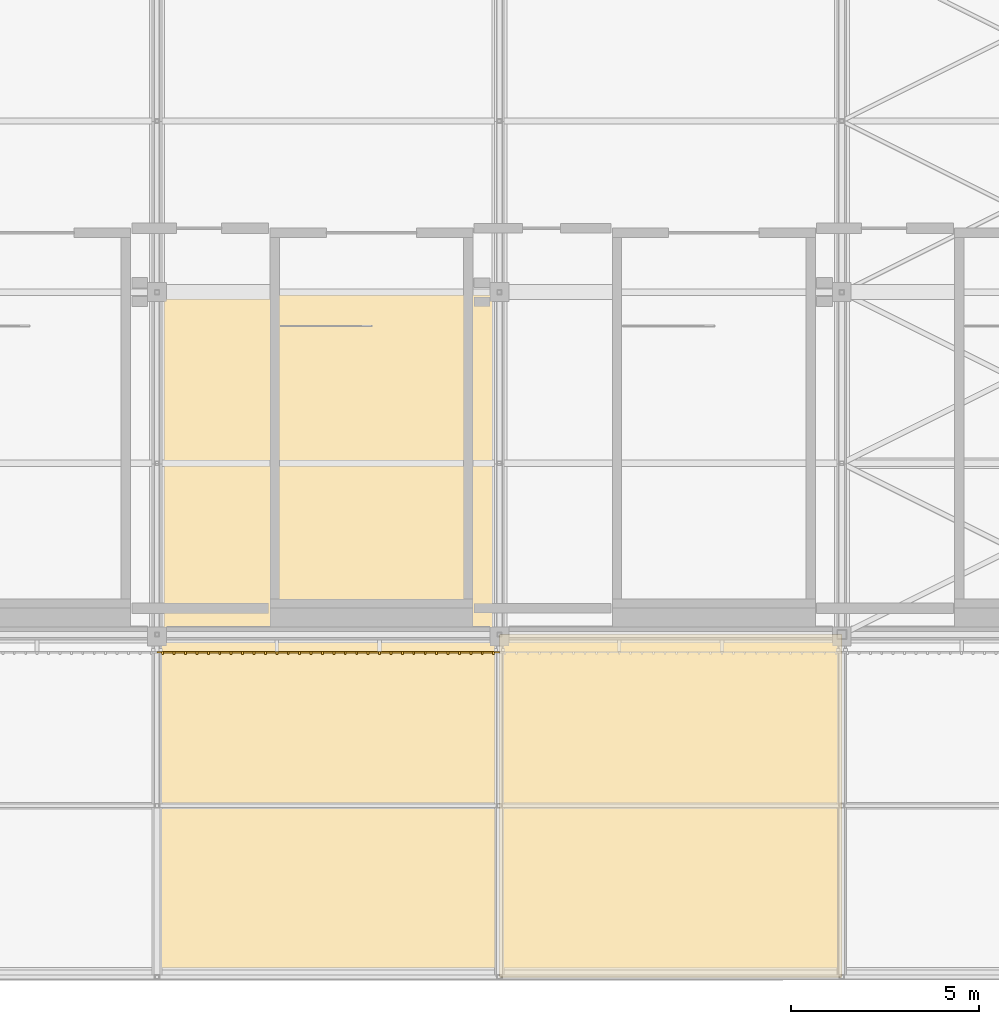
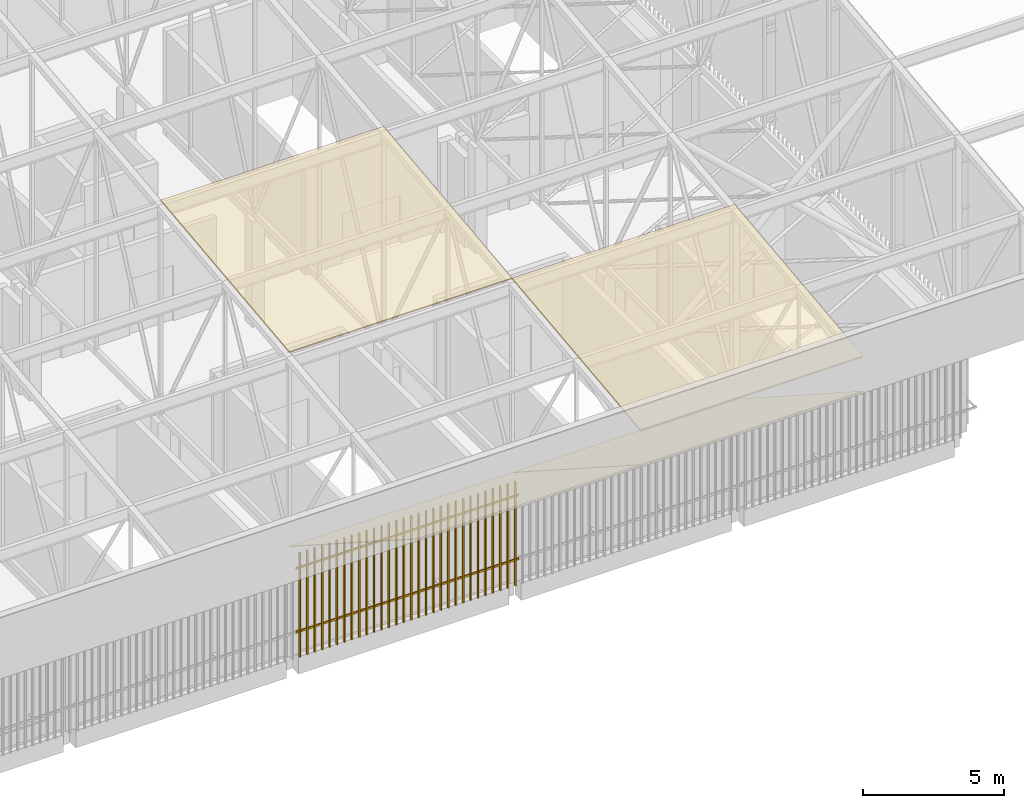
# One storey, part 484 of 500: 4 coverings, 1 shading device.
"""IFC4 building model written with IfcOpenShell, lengths in metres."""

from ifc_helpers import new_model, si_unit, direction, frame, origin, origin_2d, place, context, subcontext, project, spatial, polyline, rectangle, outline, extrude, material, layer, layer_set, type_object, element, save


model = new_model("IFC4")

# Units and contexts
model_context = context("Model", 3, precision=1e-05, world=origin(), true_north=direction((0.0, 1.0)))
body_context = subcontext(model_context, "Body", "Model", "MODEL_VIEW")
ifc_project = project(units=[si_unit("LENGTHUNIT", "METRE"), si_unit("AREAUNIT", "SQUARE_METRE"), si_unit("VOLUMEUNIT", "CUBIC_METRE"), si_unit("PLANEANGLEUNIT", "RADIAN"), si_unit("MASSUNIT", "GRAM", prefix="KILO")], contexts=[model_context])

# Site, building, storey
site_placement = place(None, origin())
site = spatial("IfcSite", under=ifc_project, at=site_placement, CompositionType="ELEMENT")
building_placement = place(site_placement, origin())
building = spatial("IfcBuilding", under=site, at=building_placement, Name="Shirokan Park Arena", CompositionType="ELEMENT")
storey_placement = place(building_placement, frame((0.0, 0.0, 29.1201171875)))
storey = spatial("IfcBuildingStorey", under=building, at=storey_placement, Name="L06", CompositionType="ELEMENT", Elevation=29.1201171875)

# Coverings
ifc_material_1 = material(Name="Bituminous roofing membrane")
ifc_layer_1 = layer(ifc_material_1, 0.010009765625, Name="Bituminous roofing membrane")
ifc_material_2 = material(Name="Mineral wool insulation")
ifc_layer_2 = layer(ifc_material_2, 0.050048828125, Name="Mineral wool insulation")
ifc_layer_set_1 = layer_set([ifc_layer_1, ifc_layer_2], Name="Bituminous roofing membrane + Mineral wool insulation")
covering_type_1 = type_object("IfcCoveringType", Name="Roofing membrane 60", PredefinedType="ROOFING", material=ifc_layer_set_1)
covering_1_placement = place(storey_placement, frame((118.300048828125, 0.0, 12.9306640625), z_axis=(0.0, -0.113549598152, 0.993532328996), x_axis=(1.0, 0.0, 0.0)))
element("IfcCovering", 1, at=covering_1_placement, inside=storey, type_object=covering_type_1, Name="Roofing", PredefinedType="ROOFING", context=body_context, shape_type="SweptSolid", body=[
    extrude(outline(polyline([(0.0, 0.0), (9.099853515625, 0.0), (9.099853515625, 9.15933723611117), (0.0, 9.15933723611117), (0.0, 0.0)])), origin(), (0.0, 0.0, -1.0), 0.06005859375),
])
covering_2_placement = place(storey_placement, frame((127.39990234375, -9.10009765625, 11.890625), z_axis=(0.0, -0.113549598152, 0.993532328996), x_axis=(1.0, 0.0, 0.0)))
element("IfcCovering", 2, at=covering_2_placement, inside=storey, type_object=covering_type_1, Name="Roofing", PredefinedType="ROOFING", context=body_context, shape_type="SweptSolid", body=[
    extrude(outline(polyline([(0.0, 0.0), (9.10009765625, 0.0), (9.10009765625, 9.15933723611117), (0.0, 9.15933723611117), (0.0, 0.0)])), origin(), (0.0, 0.0, -1.0), 0.06005859375),
])
ifc_material_3 = material(Name="Timber soffit boards (cedar)", Category="wood")
ifc_layer_3 = layer(ifc_material_3, 0.030029296875)
ifc_layer_set_2 = layer_set([ifc_layer_3], Name="Timber soffit boards (cedar) 30 mm")
covering_type_2 = type_object("IfcCoveringType", Name="Timber boarded soffit panel", PredefinedType="CLADDING", material=ifc_layer_set_2)
covering_3_placement = place(storey_placement, origin())
element("IfcCovering", 3, at=covering_3_placement, inside=storey, type_object=covering_type_2, Name="Eave soffit south bay 14", PredefinedType="CLADDING", context=body_context, shape_type="SweptSolid", body=[
    extrude(outline(polyline([(0.0, 0.0), (0.14269332184794056, 0.0), (0.14269332184794056, -9.10000000000001), (0.0, -9.10000000000001), (0.0, 0.0)])), frame((127.39990234375, -8.97998046875, 10.3037109375), z_axis=(0.0, 0.541090493936, 0.840964373427), x_axis=(0.0, -0.840964373427, 0.541090493936)), (0.0, 0.0, -1.0), 0.030029296875),
    extrude(outline(polyline([(0.0, 0.0), (0.1426933218479412, 0.0), (0.1426933218479412, -9.10000000000001), (0.0, -9.10000000000001), (0.0, 0.0)])), frame((118.300048828125, -0.1201171875, 4.60302734375), z_axis=(0.0, 0.541090493936, 0.840964373427), x_axis=(0.0, 0.840964373427, -0.541090493936)), (0.0, 0.0, -1.0), 0.030029296875),
    extrude(outline(polyline([(0.0, 0.0), (0.12000000000000455, 0.0), (0.12000000000000455, -10.535473996759707), (0.0, -10.535473996759707), (0.0, 0.0)])), frame((127.39990234375, -8.97998046875, 10.3037109375), z_axis=(0.0, 0.541084340558, 0.84096833258), x_axis=(-1.0, 0.0, 0.0)), (0.0, 0.0, -1.0), 0.030029296875),
    extrude(outline(polyline([(0.0, 0.0), (0.12000000000000455, 0.0), (0.12000000000000455, -10.535473996759707), (0.0, -10.535473996759707), (0.0, 0.0)])), frame((118.300048828125, -0.1201171875, 4.60302734375), z_axis=(0.0, 0.541084340558, 0.84096833258), x_axis=(1.0, 0.0, 0.0)), (0.0, 0.0, -1.0), 0.030029296875),
    extrude(outline(polyline([(0.0, 0.0), (10.535473996759707, 0.0), (10.535473996759707, -0.183329999999998), (0.0, -0.183329999999998), (0.0, 0.0)])), frame((118.419921875, -8.97998046875, 10.3037109375), z_axis=(0.0, 0.541084340558, 0.84096833258), x_axis=(0.0, 0.84096833258, -0.541084340558)), (0.0, 0.0, -1.0), 0.030029296875),
    extrude(outline(polyline([(0.0, 0.0), (10.535473996759707, 0.0), (10.535473996759707, -0.3033400000000057), (0.0, -0.3033400000000057), (0.0, 0.0)])), frame((118.603271484375, -8.97998046875, 10.3037109375), z_axis=(0.0, 0.541084340558, 0.84096833258), x_axis=(0.0, 0.84096833258, -0.541084340558)), (0.0, 0.0, -1.0), 0.030029296875),
    extrude(outline(polyline([(0.0, 0.0), (10.535473996759707, 0.0), (10.535473996759707, -0.30332999999998833), (0.0, -0.30332999999998833), (0.0, 0.0)])), frame((118.90673828125, -8.97998046875, 10.3037109375), z_axis=(0.0, 0.541084340558, 0.84096833258), x_axis=(0.0, 0.84096833258, -0.541084340558)), (0.0, 0.0, -1.0), 0.030029296875),
    extrude(outline(polyline([(0.0, 0.0), (10.535473996759709, 0.0), (10.535473996759709, -0.30333000000000254), (0.0, -0.30333000000000254), (0.0, 0.0)])), frame((119.2099609375, -8.97998046875, 10.3037109375), z_axis=(0.0, 0.541084340558, 0.84096833258), x_axis=(0.0, 0.84096833258, -0.541084340558)), (0.0, 0.0, -1.0), 0.030029296875),
    extrude(outline(polyline([(0.0, 0.0), (10.535473996759707, 0.0), (10.535473996759707, -0.3033400000000057), (0.0, -0.3033400000000057), (0.0, 0.0)])), frame((119.513427734375, -8.97998046875, 10.3037109375), z_axis=(0.0, 0.541084340558, 0.84096833258), x_axis=(0.0, 0.84096833258, -0.541084340558)), (0.0, 0.0, -1.0), 0.030029296875),
    extrude(outline(polyline([(0.0, 0.0), (10.535473996759709, 0.0), (10.535473996759709, -0.30333000000000254), (0.0, -0.30333000000000254), (0.0, 0.0)])), frame((119.816650390625, -8.97998046875, 10.3037109375), z_axis=(0.0, 0.541084340558, 0.84096833258), x_axis=(0.0, 0.84096833258, -0.541084340558)), (0.0, 0.0, -1.0), 0.030029296875),
    extrude(outline(polyline([(0.0, 0.0), (10.535473996759709, 0.0), (10.535473996759709, -0.3033300000000026), (0.0, -0.3033300000000026), (0.0, 0.0)])), frame((120.1201171875, -8.97998046875, 10.3037109375), z_axis=(0.0, 0.541084340558, 0.84096833258), x_axis=(0.0, 0.84096833258, -0.541084340558)), (0.0, 0.0, -1.0), 0.030029296875),
    extrude(outline(polyline([(0.0, 0.0), (10.535473996759707, 0.0), (10.535473996759707, -0.3033399999999915), (0.0, -0.3033399999999915), (0.0, 0.0)])), frame((120.42333984375, -8.97998046875, 10.3037109375), z_axis=(0.0, 0.541084340558, 0.84096833258), x_axis=(0.0, 0.84096833258, -0.541084340558)), (0.0, 0.0, -1.0), 0.030029296875),
    extrude(outline(polyline([(0.0, 0.0), (10.535473996759709, 0.0), (10.535473996759709, -0.30333000000000254), (0.0, -0.30333000000000254), (0.0, 0.0)])), frame((120.7265625, -8.97998046875, 10.3037109375), z_axis=(0.0, 0.541084340558, 0.84096833258), x_axis=(0.0, 0.84096833258, -0.541084340558)), (0.0, 0.0, -1.0), 0.030029296875),
    extrude(outline(polyline([(0.0, 0.0), (10.535473996759709, 0.0), (10.535473996759709, -0.30333000000000254), (0.0, -0.30333000000000254), (0.0, 0.0)])), frame((121.030029296875, -8.97998046875, 10.3037109375), z_axis=(0.0, 0.541084340558, 0.84096833258), x_axis=(0.0, 0.84096833258, -0.541084340558)), (0.0, 0.0, -1.0), 0.030029296875),
    extrude(outline(polyline([(0.0, 0.0), (10.535473996759707, 0.0), (10.535473996759707, -0.3033399999999915), (0.0, -0.3033399999999915), (0.0, 0.0)])), frame((121.333251953125, -8.97998046875, 10.3037109375), z_axis=(0.0, 0.541084340558, 0.84096833258), x_axis=(0.0, 0.84096833258, -0.541084340558)), (0.0, 0.0, -1.0), 0.030029296875),
    extrude(outline(polyline([(0.0, 0.0), (10.535473996759709, 0.0), (10.535473996759709, -0.30333000000000254), (0.0, -0.30333000000000254), (0.0, 0.0)])), frame((121.63671875, -8.97998046875, 10.3037109375), z_axis=(0.0, 0.541084340558, 0.84096833258), x_axis=(0.0, 0.84096833258, -0.541084340558)), (0.0, 0.0, -1.0), 0.030029296875),
    extrude(outline(polyline([(0.0, 0.0), (10.535473996759709, 0.0), (10.535473996759709, -0.30333000000000254), (0.0, -0.30333000000000254), (0.0, 0.0)])), frame((121.93994140625, -8.97998046875, 10.3037109375), z_axis=(0.0, 0.541084340558, 0.84096833258), x_axis=(0.0, 0.84096833258, -0.541084340558)), (0.0, 0.0, -1.0), 0.030029296875),
    extrude(outline(polyline([(0.0, 0.0), (10.535473996759707, 0.0), (10.535473996759707, -0.3033400000000057), (0.0, -0.3033400000000057), (0.0, 0.0)])), frame((122.243408203125, -8.97998046875, 10.3037109375), z_axis=(0.0, 0.541084340558, 0.84096833258), x_axis=(0.0, 0.84096833258, -0.541084340558)), (0.0, 0.0, -1.0), 0.030029296875),
    extrude(outline(polyline([(0.0, 0.0), (10.535473996759707, 0.0), (10.535473996759707, -0.30332999999998833), (0.0, -0.30332999999998833), (0.0, 0.0)])), frame((122.546630859375, -8.97998046875, 10.3037109375), z_axis=(0.0, 0.541084340558, 0.84096833258), x_axis=(0.0, 0.84096833258, -0.541084340558)), (0.0, 0.0, -1.0), 0.030029296875),
    extrude(outline(polyline([(0.0, 0.0), (10.535473996759709, 0.0), (10.535473996759709, -0.30333000000000254), (0.0, -0.30333000000000254), (0.0, 0.0)])), frame((122.85009765625, -8.97998046875, 10.3037109375), z_axis=(0.0, 0.541084340558, 0.84096833258), x_axis=(0.0, 0.84096833258, -0.541084340558)), (0.0, 0.0, -1.0), 0.030029296875),
    extrude(outline(polyline([(0.0, 0.0), (10.535473996759707, 0.0), (10.535473996759707, -0.3033400000000057), (0.0, -0.3033400000000057), (0.0, 0.0)])), frame((123.1533203125, -8.97998046875, 10.3037109375), z_axis=(0.0, 0.541084340558, 0.84096833258), x_axis=(0.0, 0.84096833258, -0.541084340558)), (0.0, 0.0, -1.0), 0.030029296875),
    extrude(outline(polyline([(0.0, 0.0), (10.535473996759709, 0.0), (10.535473996759709, -0.30333000000000254), (0.0, -0.30333000000000254), (0.0, 0.0)])), frame((123.456787109375, -8.97998046875, 10.3037109375), z_axis=(0.0, 0.541084340558, 0.84096833258), x_axis=(0.0, 0.84096833258, -0.541084340558)), (0.0, 0.0, -1.0), 0.030029296875),
    extrude(outline(polyline([(0.0, 0.0), (10.535473996759707, 0.0), (10.535473996759707, -0.30332999999998833), (0.0, -0.30332999999998833), (0.0, 0.0)])), frame((123.760009765625, -8.97998046875, 10.3037109375), z_axis=(0.0, 0.541084340558, 0.84096833258), x_axis=(0.0, 0.84096833258, -0.541084340558)), (0.0, 0.0, -1.0), 0.030029296875),
    extrude(outline(polyline([(0.0, 0.0), (10.535473996759707, 0.0), (10.535473996759707, -0.3033400000000057), (0.0, -0.3033400000000057), (0.0, 0.0)])), frame((124.063232421875, -8.97998046875, 10.3037109375), z_axis=(0.0, 0.541084340558, 0.84096833258), x_axis=(0.0, 0.84096833258, -0.541084340558)), (0.0, 0.0, -1.0), 0.030029296875),
    extrude(outline(polyline([(0.0, 0.0), (10.535473996759709, 0.0), (10.535473996759709, -0.30333000000000254), (0.0, -0.30333000000000254), (0.0, 0.0)])), frame((124.36669921875, -8.97998046875, 10.3037109375), z_axis=(0.0, 0.541084340558, 0.84096833258), x_axis=(0.0, 0.84096833258, -0.541084340558)), (0.0, 0.0, -1.0), 0.030029296875),
    extrude(outline(polyline([(0.0, 0.0), (10.535473996759709, 0.0), (10.535473996759709, -0.30333000000000254), (0.0, -0.30333000000000254), (0.0, 0.0)])), frame((124.669921875, -8.97998046875, 10.3037109375), z_axis=(0.0, 0.541084340558, 0.84096833258), x_axis=(0.0, 0.84096833258, -0.541084340558)), (0.0, 0.0, -1.0), 0.030029296875),
    extrude(outline(polyline([(0.0, 0.0), (10.535473996759707, 0.0), (10.535473996759707, -0.3033399999999915), (0.0, -0.3033399999999915), (0.0, 0.0)])), frame((124.973388671875, -8.97998046875, 10.3037109375), z_axis=(0.0, 0.541084340558, 0.84096833258), x_axis=(0.0, 0.84096833258, -0.541084340558)), (0.0, 0.0, -1.0), 0.030029296875),
    extrude(outline(polyline([(0.0, 0.0), (10.535473996759709, 0.0), (10.535473996759709, -0.30333000000000254), (0.0, -0.30333000000000254), (0.0, 0.0)])), frame((125.276611328125, -8.97998046875, 10.3037109375), z_axis=(0.0, 0.541084340558, 0.84096833258), x_axis=(0.0, 0.84096833258, -0.541084340558)), (0.0, 0.0, -1.0), 0.030029296875),
    extrude(outline(polyline([(0.0, 0.0), (10.535473996759709, 0.0), (10.535473996759709, -0.30333000000000254), (0.0, -0.30333000000000254), (0.0, 0.0)])), frame((125.580078125, -8.97998046875, 10.3037109375), z_axis=(0.0, 0.541084340558, 0.84096833258), x_axis=(0.0, 0.84096833258, -0.541084340558)), (0.0, 0.0, -1.0), 0.030029296875),
    extrude(outline(polyline([(0.0, 0.0), (10.535473996759707, 0.0), (10.535473996759707, -0.3033400000000057), (0.0, -0.3033400000000057), (0.0, 0.0)])), frame((125.88330078125, -8.97998046875, 10.3037109375), z_axis=(0.0, 0.541084340558, 0.84096833258), x_axis=(0.0, 0.84096833258, -0.541084340558)), (0.0, 0.0, -1.0), 0.030029296875),
    extrude(outline(polyline([(0.0, 0.0), (10.535473996759707, 0.0), (10.535473996759707, -0.30332999999998833), (0.0, -0.30332999999998833), (0.0, 0.0)])), frame((126.186767578125, -8.97998046875, 10.3037109375), z_axis=(0.0, 0.541084340558, 0.84096833258), x_axis=(0.0, 0.84096833258, -0.541084340558)), (0.0, 0.0, -1.0), 0.030029296875),
    extrude(outline(polyline([(0.0, 0.0), (10.535473996759709, 0.0), (10.535473996759709, -0.30333000000000254), (0.0, -0.30333000000000254), (0.0, 0.0)])), frame((126.489990234375, -8.97998046875, 10.3037109375), z_axis=(0.0, 0.541084340558, 0.84096833258), x_axis=(0.0, 0.84096833258, -0.541084340558)), (0.0, 0.0, -1.0), 0.030029296875),
    extrude(outline(polyline([(0.0, 0.0), (10.535473996759707, 0.0), (10.535473996759707, -0.3033400000000057), (0.0, -0.3033400000000057), (0.0, 0.0)])), frame((126.793212890625, -8.97998046875, 10.3037109375), z_axis=(0.0, 0.541084340558, 0.84096833258), x_axis=(0.0, 0.84096833258, -0.541084340558)), (0.0, 0.0, -1.0), 0.030029296875),
    extrude(outline(polyline([(0.0, 0.0), (0.183329999999998, 0.0), (0.183329999999998, -10.535473996759707), (0.0, -10.535473996759707), (0.0, 0.0)])), frame((127.280029296875, -8.97998046875, 10.3037109375), z_axis=(0.0, 0.541084340558, 0.84096833258), x_axis=(-1.0, 0.0, 0.0)), (0.0, 0.0, -1.0), 0.030029296875),
])
covering_4_placement = place(storey_placement, origin())
element("IfcCovering", 4, at=covering_4_placement, inside=storey, type_object=covering_type_2, Name="Eave soffit south bay 15", PredefinedType="CLADDING", context=body_context, shape_type="SweptSolid", body=[
    extrude(outline(polyline([(0.0, 0.0), (0.14269332184794056, 0.0), (0.14269332184794056, -9.099999999999996), (0.0, -9.099999999999996), (0.0, 0.0)])), frame((136.5, -8.97998046875, 10.3037109375), z_axis=(0.0, 0.541090493936, 0.840964373427), x_axis=(0.0, -0.840964373427, 0.541090493936)), (0.0, 0.0, -1.0), 0.030029296875),
    extrude(outline(polyline([(0.0, 0.0), (0.1426933218479412, 0.0), (0.1426933218479412, -9.099999999999994), (0.0, -9.099999999999994), (0.0, 0.0)])), frame((127.39990234375, -0.1201171875, 4.60302734375), z_axis=(0.0, 0.541090493936, 0.840964373427), x_axis=(0.0, 0.840964373427, -0.541090493936)), (0.0, 0.0, -1.0), 0.030029296875),
    extrude(outline(polyline([(0.0, 0.0), (0.12000000000000455, 0.0), (0.12000000000000455, -10.535473996759707), (0.0, -10.535473996759707), (0.0, 0.0)])), frame((136.5, -8.97998046875, 10.3037109375), z_axis=(0.0, 0.541084340558, 0.84096833258), x_axis=(-1.0, 0.0, 0.0)), (0.0, 0.0, -1.0), 0.030029296875),
    extrude(outline(polyline([(0.0, 0.0), (0.11999999999999034, 0.0), (0.11999999999999034, -10.535473996759707), (0.0, -10.535473996759707), (0.0, 0.0)])), frame((127.39990234375, -0.1201171875, 4.60302734375), z_axis=(0.0, 0.541084340558, 0.84096833258), x_axis=(1.0, 0.0, 0.0)), (0.0, 0.0, -1.0), 0.030029296875),
    extrude(outline(polyline([(0.0, 0.0), (10.535473996759707, 0.0), (10.535473996759707, -0.183329999999998), (0.0, -0.183329999999998), (0.0, 0.0)])), frame((127.52001953125, -8.97998046875, 10.3037109375), z_axis=(0.0, 0.541084340558, 0.84096833258), x_axis=(0.0, 0.84096833258, -0.541084340558)), (0.0, 0.0, -1.0), 0.030029296875),
    extrude(outline(polyline([(0.0, 0.0), (10.535473996759707, 0.0), (10.535473996759707, -0.3033400000000199), (0.0, -0.3033400000000199), (0.0, 0.0)])), frame((127.703369140625, -8.97998046875, 10.3037109375), z_axis=(0.0, 0.541084340558, 0.84096833258), x_axis=(0.0, 0.84096833258, -0.541084340558)), (0.0, 0.0, -1.0), 0.030029296875),
    extrude(outline(polyline([(0.0, 0.0), (10.535473996759707, 0.0), (10.535473996759707, -0.30332999999998833), (0.0, -0.30332999999998833), (0.0, 0.0)])), frame((128.006591796875, -8.97998046875, 10.3037109375), z_axis=(0.0, 0.541084340558, 0.84096833258), x_axis=(0.0, 0.84096833258, -0.541084340558)), (0.0, 0.0, -1.0), 0.030029296875),
    extrude(outline(polyline([(0.0, 0.0), (10.535473996759707, 0.0), (10.535473996759707, -0.30332999999998833), (0.0, -0.30332999999998833), (0.0, 0.0)])), frame((128.31005859375, -8.97998046875, 10.3037109375), z_axis=(0.0, 0.541084340558, 0.84096833258), x_axis=(0.0, 0.84096833258, -0.541084340558)), (0.0, 0.0, -1.0), 0.030029296875),
    extrude(outline(polyline([(0.0, 0.0), (10.535473996759707, 0.0), (10.535473996759707, -0.3033400000000199), (0.0, -0.3033400000000199), (0.0, 0.0)])), frame((128.61328125, -8.97998046875, 10.3037109375), z_axis=(0.0, 0.541084340558, 0.84096833258), x_axis=(0.0, 0.84096833258, -0.541084340558)), (0.0, 0.0, -1.0), 0.030029296875),
    extrude(outline(polyline([(0.0, 0.0), (10.535473996759707, 0.0), (10.535473996759707, -0.30332999999998833), (0.0, -0.30332999999998833), (0.0, 0.0)])), frame((128.916748046875, -8.97998046875, 10.3037109375), z_axis=(0.0, 0.541084340558, 0.84096833258), x_axis=(0.0, 0.84096833258, -0.541084340558)), (0.0, 0.0, -1.0), 0.030029296875),
    extrude(outline(polyline([(0.0, 0.0), (10.535473996759707, 0.0), (10.535473996759707, -0.30332999999998833), (0.0, -0.30332999999998833), (0.0, 0.0)])), frame((129.219970703125, -8.97998046875, 10.3037109375), z_axis=(0.0, 0.541084340558, 0.84096833258), x_axis=(0.0, 0.84096833258, -0.541084340558)), (0.0, 0.0, -1.0), 0.030029296875),
    extrude(outline(polyline([(0.0, 0.0), (10.535473996759709, 0.0), (10.535473996759709, -0.3033400000000199), (0.0, -0.3033400000000199), (0.0, 0.0)])), frame((129.5234375, -8.97998046875, 10.3037109375), z_axis=(0.0, 0.541084340558, 0.84096833258), x_axis=(0.0, 0.84096833258, -0.541084340558)), (0.0, 0.0, -1.0), 0.030029296875),
    extrude(outline(polyline([(0.0, 0.0), (10.535473996759707, 0.0), (10.535473996759707, -0.30332999999998833), (0.0, -0.30332999999998833), (0.0, 0.0)])), frame((129.82666015625, -8.97998046875, 10.3037109375), z_axis=(0.0, 0.541084340558, 0.84096833258), x_axis=(0.0, 0.84096833258, -0.541084340558)), (0.0, 0.0, -1.0), 0.030029296875),
    extrude(outline(polyline([(0.0, 0.0), (10.535473996759707, 0.0), (10.535473996759707, -0.30333000000001675), (0.0, -0.30333000000001675), (0.0, 0.0)])), frame((130.1298828125, -8.97998046875, 10.3037109375), z_axis=(0.0, 0.541084340558, 0.84096833258), x_axis=(0.0, 0.84096833258, -0.541084340558)), (0.0, 0.0, -1.0), 0.030029296875),
    extrude(outline(polyline([(0.0, 0.0), (10.535473996759707, 0.0), (10.535473996759707, -0.3033399999999915), (0.0, -0.3033399999999915), (0.0, 0.0)])), frame((130.433349609375, -8.97998046875, 10.3037109375), z_axis=(0.0, 0.541084340558, 0.84096833258), x_axis=(0.0, 0.84096833258, -0.541084340558)), (0.0, 0.0, -1.0), 0.030029296875),
    extrude(outline(polyline([(0.0, 0.0), (10.535473996759707, 0.0), (10.535473996759707, -0.30332999999998833), (0.0, -0.30332999999998833), (0.0, 0.0)])), frame((130.736572265625, -8.97998046875, 10.3037109375), z_axis=(0.0, 0.541084340558, 0.84096833258), x_axis=(0.0, 0.84096833258, -0.541084340558)), (0.0, 0.0, -1.0), 0.030029296875),
    extrude(outline(polyline([(0.0, 0.0), (10.535473996759707, 0.0), (10.535473996759707, -0.30333000000001675), (0.0, -0.30333000000001675), (0.0, 0.0)])), frame((131.0400390625, -8.97998046875, 10.3037109375), z_axis=(0.0, 0.541084340558, 0.84096833258), x_axis=(0.0, 0.84096833258, -0.541084340558)), (0.0, 0.0, -1.0), 0.030029296875),
    extrude(outline(polyline([(0.0, 0.0), (10.535473996759707, 0.0), (10.535473996759707, -0.3033399999999915), (0.0, -0.3033399999999915), (0.0, 0.0)])), frame((131.34326171875, -8.97998046875, 10.3037109375), z_axis=(0.0, 0.541084340558, 0.84096833258), x_axis=(0.0, 0.84096833258, -0.541084340558)), (0.0, 0.0, -1.0), 0.030029296875),
    extrude(outline(polyline([(0.0, 0.0), (10.535473996759707, 0.0), (10.535473996759707, -0.30332999999998833), (0.0, -0.30332999999998833), (0.0, 0.0)])), frame((131.646728515625, -8.97998046875, 10.3037109375), z_axis=(0.0, 0.541084340558, 0.84096833258), x_axis=(0.0, 0.84096833258, -0.541084340558)), (0.0, 0.0, -1.0), 0.030029296875),
    extrude(outline(polyline([(0.0, 0.0), (10.535473996759707, 0.0), (10.535473996759707, -0.30333000000001675), (0.0, -0.30333000000001675), (0.0, 0.0)])), frame((131.949951171875, -8.97998046875, 10.3037109375), z_axis=(0.0, 0.541084340558, 0.84096833258), x_axis=(0.0, 0.84096833258, -0.541084340558)), (0.0, 0.0, -1.0), 0.030029296875),
    extrude(outline(polyline([(0.0, 0.0), (10.535473996759707, 0.0), (10.535473996759707, -0.3033399999999915), (0.0, -0.3033399999999915), (0.0, 0.0)])), frame((132.25341796875, -8.97998046875, 10.3037109375), z_axis=(0.0, 0.541084340558, 0.84096833258), x_axis=(0.0, 0.84096833258, -0.541084340558)), (0.0, 0.0, -1.0), 0.030029296875),
    extrude(outline(polyline([(0.0, 0.0), (10.535473996759707, 0.0), (10.535473996759707, -0.3033300000000167), (0.0, -0.3033300000000167), (0.0, 0.0)])), frame((132.556640625, -8.97998046875, 10.3037109375), z_axis=(0.0, 0.541084340558, 0.84096833258), x_axis=(0.0, 0.84096833258, -0.541084340558)), (0.0, 0.0, -1.0), 0.030029296875),
    extrude(outline(polyline([(0.0, 0.0), (10.535473996759707, 0.0), (10.535473996759707, -0.30332999999998833), (0.0, -0.30332999999998833), (0.0, 0.0)])), frame((132.860107421875, -8.97998046875, 10.3037109375), z_axis=(0.0, 0.541084340558, 0.84096833258), x_axis=(0.0, 0.84096833258, -0.541084340558)), (0.0, 0.0, -1.0), 0.030029296875),
    extrude(outline(polyline([(0.0, 0.0), (10.535473996759707, 0.0), (10.535473996759707, -0.3033399999999915), (0.0, -0.3033399999999915), (0.0, 0.0)])), frame((133.163330078125, -8.97998046875, 10.3037109375), z_axis=(0.0, 0.541084340558, 0.84096833258), x_axis=(0.0, 0.84096833258, -0.541084340558)), (0.0, 0.0, -1.0), 0.030029296875),
    extrude(outline(polyline([(0.0, 0.0), (10.535473996759707, 0.0), (10.535473996759707, -0.30333000000001675), (0.0, -0.30333000000001675), (0.0, 0.0)])), frame((133.466552734375, -8.97998046875, 10.3037109375), z_axis=(0.0, 0.541084340558, 0.84096833258), x_axis=(0.0, 0.84096833258, -0.541084340558)), (0.0, 0.0, -1.0), 0.030029296875),
    extrude(outline(polyline([(0.0, 0.0), (10.535473996759707, 0.0), (10.535473996759707, -0.30332999999998833), (0.0, -0.30332999999998833), (0.0, 0.0)])), frame((133.77001953125, -8.97998046875, 10.3037109375), z_axis=(0.0, 0.541084340558, 0.84096833258), x_axis=(0.0, 0.84096833258, -0.541084340558)), (0.0, 0.0, -1.0), 0.030029296875),
    extrude(outline(polyline([(0.0, 0.0), (10.535473996759707, 0.0), (10.535473996759707, -0.3033399999999915), (0.0, -0.3033399999999915), (0.0, 0.0)])), frame((134.0732421875, -8.97998046875, 10.3037109375), z_axis=(0.0, 0.541084340558, 0.84096833258), x_axis=(0.0, 0.84096833258, -0.541084340558)), (0.0, 0.0, -1.0), 0.030029296875),
    extrude(outline(polyline([(0.0, 0.0), (10.535473996759707, 0.0), (10.535473996759707, -0.30333000000001675), (0.0, -0.30333000000001675), (0.0, 0.0)])), frame((134.376708984375, -8.97998046875, 10.3037109375), z_axis=(0.0, 0.541084340558, 0.84096833258), x_axis=(0.0, 0.84096833258, -0.541084340558)), (0.0, 0.0, -1.0), 0.030029296875),
    extrude(outline(polyline([(0.0, 0.0), (10.535473996759707, 0.0), (10.535473996759707, -0.30332999999998833), (0.0, -0.30332999999998833), (0.0, 0.0)])), frame((134.679931640625, -8.97998046875, 10.3037109375), z_axis=(0.0, 0.541084340558, 0.84096833258), x_axis=(0.0, 0.84096833258, -0.541084340558)), (0.0, 0.0, -1.0), 0.030029296875),
    extrude(outline(polyline([(0.0, 0.0), (10.535473996759707, 0.0), (10.535473996759707, -0.3033399999999915), (0.0, -0.3033399999999915), (0.0, 0.0)])), frame((134.9833984375, -8.97998046875, 10.3037109375), z_axis=(0.0, 0.541084340558, 0.84096833258), x_axis=(0.0, 0.84096833258, -0.541084340558)), (0.0, 0.0, -1.0), 0.030029296875),
    extrude(outline(polyline([(0.0, 0.0), (10.535473996759707, 0.0), (10.535473996759707, -0.30333000000001675), (0.0, -0.30333000000001675), (0.0, 0.0)])), frame((135.28662109375, -8.97998046875, 10.3037109375), z_axis=(0.0, 0.541084340558, 0.84096833258), x_axis=(0.0, 0.84096833258, -0.541084340558)), (0.0, 0.0, -1.0), 0.030029296875),
    extrude(outline(polyline([(0.0, 0.0), (10.535473996759707, 0.0), (10.535473996759707, -0.30332999999998833), (0.0, -0.30332999999998833), (0.0, 0.0)])), frame((135.590087890625, -8.97998046875, 10.3037109375), z_axis=(0.0, 0.541084340558, 0.84096833258), x_axis=(0.0, 0.84096833258, -0.541084340558)), (0.0, 0.0, -1.0), 0.030029296875),
    extrude(outline(polyline([(0.0, 0.0), (10.535473996759709, 0.0), (10.535473996759709, -0.3033400000000199), (0.0, -0.3033400000000199), (0.0, 0.0)])), frame((135.893310546875, -8.97998046875, 10.3037109375), z_axis=(0.0, 0.541084340558, 0.84096833258), x_axis=(0.0, 0.84096833258, -0.541084340558)), (0.0, 0.0, -1.0), 0.030029296875),
    extrude(outline(polyline([(0.0, 0.0), (10.535473996759707, 0.0), (10.535473996759707, -0.18332999999998378), (0.0, -0.18332999999998378), (0.0, 0.0)])), frame((136.19677734375, -8.97998046875, 10.3037109375), z_axis=(0.0, 0.541084340558, 0.84096833258), x_axis=(0.0, 0.84096833258, -0.541084340558)), (0.0, 0.0, -1.0), 0.030029296875),
])

# Shading device
ifc_material_4 = material(Name="Timber louvre veil (cedar)", Category="wood")
shading_device_type = type_object("IfcShadingDeviceType", Name="Timber louvre veil panel", PredefinedType="JALOUSIE", material=ifc_material_4)
shading_device_placement = place(storey_placement, origin())
element("IfcShadingDevice", 5, at=shading_device_placement, inside=storey, type_object=shading_device_type, Name="Timber louvre veil south bay 14 L06", PredefinedType="JALOUSIE", context=body_context, shape_type="SweptSolid", body=[
    extrude(rectangle(XDim=0.050048828125, YDim=0.080078125, at=origin_2d()), frame((118.45166015625, -0.485107421875, 0.0), z_axis=(0.0, 0.0, 1.0), x_axis=(1.0, 0.0, 0.0)), (0.0, 0.0, 1.0), 4.5),
    extrude(rectangle(XDim=0.050048828125, YDim=0.080078125, at=origin_2d()), frame((118.7548828125, -0.485107421875, 0.0), z_axis=(0.0, 0.0, 1.0), x_axis=(1.0, 0.0, 0.0)), (0.0, 0.0, 1.0), 4.5),
    extrude(rectangle(XDim=0.050048828125, YDim=0.080078125, at=origin_2d()), frame((119.058349609375, -0.485107421875, 0.0), z_axis=(0.0, 0.0, 1.0), x_axis=(1.0, 0.0, 0.0)), (0.0, 0.0, 1.0), 4.5),
    extrude(rectangle(XDim=0.050048828125, YDim=0.080078125, at=origin_2d()), frame((119.361572265625, -0.485107421875, 0.0), z_axis=(0.0, 0.0, 1.0), x_axis=(1.0, 0.0, 0.0)), (0.0, 0.0, 1.0), 4.5),
    extrude(rectangle(XDim=0.050048828125, YDim=0.080078125, at=origin_2d()), frame((119.6650390625, -0.485107421875, 0.0), z_axis=(0.0, 0.0, 1.0), x_axis=(1.0, 0.0, 0.0)), (0.0, 0.0, 1.0), 4.5),
    extrude(rectangle(XDim=0.050048828125, YDim=0.080078125, at=origin_2d()), frame((119.96826171875, -0.485107421875, 0.0), z_axis=(0.0, 0.0, 1.0), x_axis=(1.0, 0.0, 0.0)), (0.0, 0.0, 1.0), 4.5),
    extrude(rectangle(XDim=0.050048828125, YDim=0.080078125, at=origin_2d()), frame((120.271728515625, -0.485107421875, 0.0), z_axis=(0.0, 0.0, 1.0), x_axis=(1.0, 0.0, 0.0)), (0.0, 0.0, 1.0), 4.5),
    extrude(rectangle(XDim=0.050048828125, YDim=0.080078125, at=origin_2d()), frame((120.574951171875, -0.485107421875, 0.0), z_axis=(0.0, 0.0, 1.0), x_axis=(1.0, 0.0, 0.0)), (0.0, 0.0, 1.0), 4.5),
    extrude(rectangle(XDim=0.050048828125, YDim=0.080078125, at=origin_2d()), frame((120.87841796875, -0.485107421875, 0.0), z_axis=(0.0, 0.0, 1.0), x_axis=(1.0, 0.0, 0.0)), (0.0, 0.0, 1.0), 4.5),
    extrude(rectangle(XDim=0.050048828125, YDim=0.080078125, at=origin_2d()), frame((121.181640625, -0.485107421875, 0.0), z_axis=(0.0, 0.0, 1.0), x_axis=(1.0, 0.0, 0.0)), (0.0, 0.0, 1.0), 4.5),
    extrude(rectangle(XDim=0.050048828125, YDim=0.080078125, at=origin_2d()), frame((121.485107421875, -0.485107421875, 0.0), z_axis=(0.0, 0.0, 1.0), x_axis=(1.0, 0.0, 0.0)), (0.0, 0.0, 1.0), 4.5),
    extrude(rectangle(XDim=0.050048828125, YDim=0.080078125, at=origin_2d()), frame((121.788330078125, -0.485107421875, 0.0), z_axis=(0.0, 0.0, 1.0), x_axis=(1.0, 0.0, 0.0)), (0.0, 0.0, 1.0), 4.5),
    extrude(rectangle(XDim=0.050048828125, YDim=0.080078125, at=origin_2d()), frame((122.091552734375, -0.485107421875, 0.0), z_axis=(0.0, 0.0, 1.0), x_axis=(1.0, 0.0, 0.0)), (0.0, 0.0, 1.0), 4.5),
    extrude(rectangle(XDim=0.050048828125, YDim=0.080078125, at=origin_2d()), frame((122.39501953125, -0.485107421875, 0.0), z_axis=(0.0, 0.0, 1.0), x_axis=(1.0, 0.0, 0.0)), (0.0, 0.0, 1.0), 4.5),
    extrude(rectangle(XDim=0.050048828125, YDim=0.080078125, at=origin_2d()), frame((122.6982421875, -0.485107421875, 0.0), z_axis=(0.0, 0.0, 1.0), x_axis=(1.0, 0.0, 0.0)), (0.0, 0.0, 1.0), 4.5),
    extrude(rectangle(XDim=0.050048828125, YDim=0.080078125, at=origin_2d()), frame((123.001708984375, -0.485107421875, 0.0), z_axis=(0.0, 0.0, 1.0), x_axis=(1.0, 0.0, 0.0)), (0.0, 0.0, 1.0), 4.5),
    extrude(rectangle(XDim=0.050048828125, YDim=0.080078125, at=origin_2d()), frame((123.304931640625, -0.485107421875, 0.0), z_axis=(0.0, 0.0, 1.0), x_axis=(1.0, 0.0, 0.0)), (0.0, 0.0, 1.0), 4.5),
    extrude(rectangle(XDim=0.050048828125, YDim=0.080078125, at=origin_2d()), frame((123.6083984375, -0.485107421875, 0.0), z_axis=(0.0, 0.0, 1.0), x_axis=(1.0, 0.0, 0.0)), (0.0, 0.0, 1.0), 4.5),
    extrude(rectangle(XDim=0.050048828125, YDim=0.080078125, at=origin_2d()), frame((123.91162109375, -0.485107421875, 0.0), z_axis=(0.0, 0.0, 1.0), x_axis=(1.0, 0.0, 0.0)), (0.0, 0.0, 1.0), 4.5),
    extrude(rectangle(XDim=0.050048828125, YDim=0.080078125, at=origin_2d()), frame((124.215087890625, -0.485107421875, 0.0), z_axis=(0.0, 0.0, 1.0), x_axis=(1.0, 0.0, 0.0)), (0.0, 0.0, 1.0), 4.5),
    extrude(rectangle(XDim=0.050048828125, YDim=0.080078125, at=origin_2d()), frame((124.518310546875, -0.485107421875, 0.0), z_axis=(0.0, 0.0, 1.0), x_axis=(1.0, 0.0, 0.0)), (0.0, 0.0, 1.0), 4.5),
    extrude(rectangle(XDim=0.050048828125, YDim=0.080078125, at=origin_2d()), frame((124.82177734375, -0.485107421875, 0.0), z_axis=(0.0, 0.0, 1.0), x_axis=(1.0, 0.0, 0.0)), (0.0, 0.0, 1.0), 4.5),
    extrude(rectangle(XDim=0.050048828125, YDim=0.080078125, at=origin_2d()), frame((125.125, -0.485107421875, 0.0), z_axis=(0.0, 0.0, 1.0), x_axis=(1.0, 0.0, 0.0)), (0.0, 0.0, 1.0), 4.5),
    extrude(rectangle(XDim=0.050048828125, YDim=0.080078125, at=origin_2d()), frame((125.42822265625, -0.485107421875, 0.0), z_axis=(0.0, 0.0, 1.0), x_axis=(1.0, 0.0, 0.0)), (0.0, 0.0, 1.0), 4.5),
    extrude(rectangle(XDim=0.050048828125, YDim=0.080078125, at=origin_2d()), frame((125.731689453125, -0.485107421875, 0.0), z_axis=(0.0, 0.0, 1.0), x_axis=(1.0, 0.0, 0.0)), (0.0, 0.0, 1.0), 4.5),
    extrude(rectangle(XDim=0.050048828125, YDim=0.080078125, at=origin_2d()), frame((126.034912109375, -0.485107421875, 0.0), z_axis=(0.0, 0.0, 1.0), x_axis=(1.0, 0.0, 0.0)), (0.0, 0.0, 1.0), 4.5),
    extrude(rectangle(XDim=0.050048828125, YDim=0.080078125, at=origin_2d()), frame((126.33837890625, -0.485107421875, 0.0), z_axis=(0.0, 0.0, 1.0), x_axis=(1.0, 0.0, 0.0)), (0.0, 0.0, 1.0), 4.5),
    extrude(rectangle(XDim=0.050048828125, YDim=0.080078125, at=origin_2d()), frame((126.6416015625, -0.485107421875, 0.0), z_axis=(0.0, 0.0, 1.0), x_axis=(1.0, 0.0, 0.0)), (0.0, 0.0, 1.0), 4.5),
    extrude(rectangle(XDim=0.050048828125, YDim=0.080078125, at=origin_2d()), frame((126.945068359375, -0.485107421875, 0.0), z_axis=(0.0, 0.0, 1.0), x_axis=(1.0, 0.0, 0.0)), (0.0, 0.0, 1.0), 4.5),
    extrude(rectangle(XDim=0.050048828125, YDim=0.080078125, at=origin_2d()), frame((127.248291015625, -0.485107421875, 0.0), z_axis=(0.0, 0.0, 1.0), x_axis=(1.0, 0.0, 0.0)), (0.0, 0.0, 1.0), 4.5),
    extrude(rectangle(XDim=9.10009765625, YDim=0.050048828125, at=origin_2d()), frame((122.85009765625, -0.469970703125, 1.059814453125), z_axis=(0.0, 0.0, 1.0), x_axis=(1.0, 0.0, 0.0)), (0.0, 0.0, 1.0), 0.080078125),
    extrude(rectangle(XDim=9.10009765625, YDim=0.050048828125, at=origin_2d()), frame((122.85009765625, -0.469970703125, 3.809814453125), z_axis=(0.0, 0.0, 1.0), x_axis=(1.0, 0.0, 0.0)), (0.0, 0.0, 1.0), 0.080078125),
])

save(model, "model.ifc")
